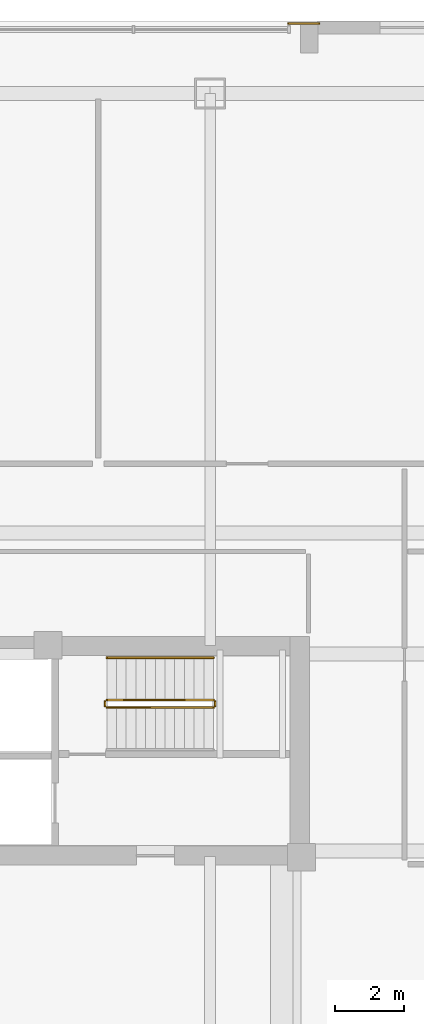
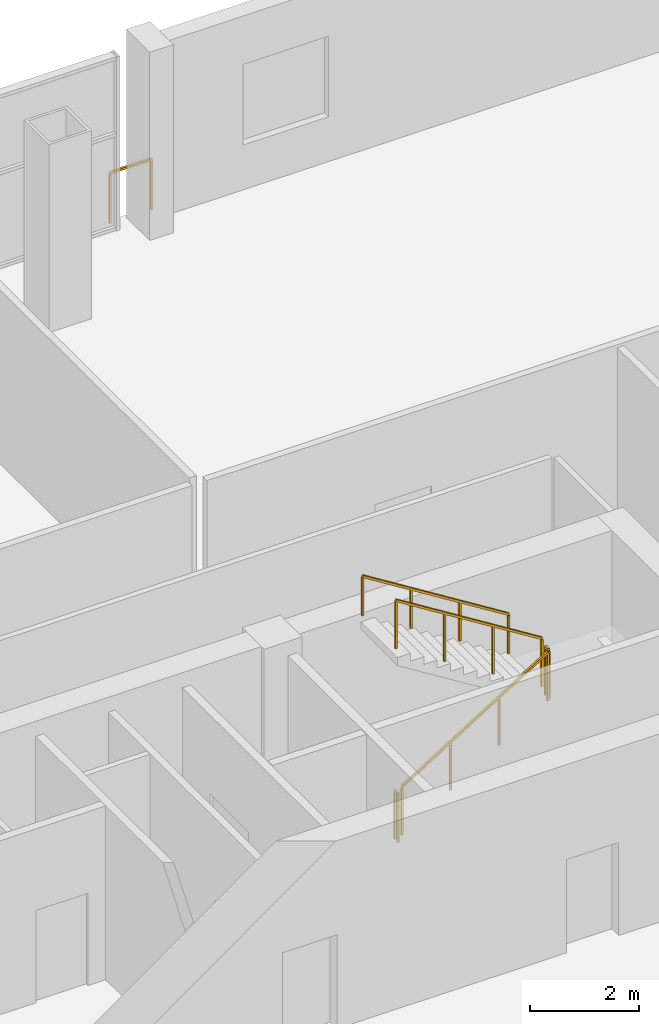
# One storey, part 20 of 21: 6 railings.
"""IFC4 building model written with IfcOpenShell, lengths in metres."""

from ifc_helpers import new_model, si_unit, direction, frame, origin, origin_2d, place, context, subcontext, project, spatial, rectangle, extrude, material, type_object, element, save


model = new_model("IFC4")

# Units and contexts
model_context = context("Model", 3, precision=1e-05, world=origin(), true_north=direction((0.0, 1.0)))
body_context = subcontext(model_context, "Body", "Model", "MODEL_VIEW")
ifc_project = project(units=[si_unit("LENGTHUNIT", "METRE"), si_unit("AREAUNIT", "SQUARE_METRE"), si_unit("VOLUMEUNIT", "CUBIC_METRE"), si_unit("PLANEANGLEUNIT", "RADIAN"), si_unit("MASSUNIT", "GRAM", prefix="KILO")], contexts=[model_context])

# Site, building, storey
site_placement = place(None, origin())
site = spatial("IfcSite", under=ifc_project, at=site_placement, CompositionType="ELEMENT")
building_placement = place(site_placement, origin())
building = spatial("IfcBuilding", under=site, at=building_placement, Name="Qhalaya Broadcast Tower", CompositionType="ELEMENT")
storey_placement = place(building_placement, frame((0.0, 0.0, 9.300048828125)))
storey = spatial("IfcBuildingStorey", under=building, at=storey_placement, Name="L02", CompositionType="ELEMENT", Elevation=9.300048828125)

# Railings
ifc_material = material(Name="Powder-Coated Galvanised Steel", Category="steel")
railing_type_1 = type_object("IfcRailingType", Name="Stair Wall Handrail 900", PredefinedType="HANDRAIL", material=ifc_material)
railing_1_placement = place(storey_placement, frame((6.830078125, 9.590087890625, 2.27490234375)))
element("IfcRailing", 1, at=railing_1_placement, inside=storey, type_object=railing_type_1, Name="L02 ST-1 Stair Handrail 2", PredefinedType="HANDRAIL", context=body_context, shape_type="SweptSolid", body=[
    extrude(rectangle(XDim=0.048095703125, YDim=0.048095703125, at=origin_2d()), frame((0.0, 0.0, 0.8759765625), z_axis=(-0.847998304005, 0.0, 0.529998940003), x_axis=(0.0, -1.0, 0.0)), (0.0, 0.0, 1.0), 3.632080078125),
    extrude(rectangle(XDim=0.0419921875, YDim=0.0419921875, at=origin_2d()), origin(), (0.0, 0.0, 1.0), 0.849853515625),
    extrude(rectangle(XDim=0.0419921875, YDim=0.0419921875, at=origin_2d()), frame((-1.026611328125, 0.0, 0.6416015625)), (0.0, 0.0, 1.0), 0.849853515625),
    extrude(rectangle(XDim=0.0419921875, YDim=0.0419921875, at=origin_2d()), frame((-2.053466796875, 0.0, 1.283447265625)), (0.0, 0.0, 1.0), 0.849853515625),
    extrude(rectangle(XDim=0.0419921875, YDim=0.0419921875, at=origin_2d()), frame((-3.080078125, 0.0, 1.925048828125)), (0.0, 0.0, 1.0), 0.849853515625),
])
railing_type_2 = type_object("IfcRailingType", Name="Stair Well & Landing Guardrail 1100", PredefinedType="GUARDRAIL", material=ifc_material)
railing_2_placement = place(storey_placement, frame((3.75, 8.14990234375, 0.175048828125)))
element("IfcRailing", 2, at=railing_2_placement, inside=storey, type_object=railing_type_2, Name="L02 ST-1 Stair Guard 1", PredefinedType="GUARDRAIL", context=body_context, shape_type="SweptSolid", body=[
    extrude(rectangle(XDim=0.048095703125, YDim=0.048095703125, at=origin_2d()), frame((0.0, 0.0, 1.076171875), z_axis=(0.848028513186, 0.0, 0.529950602248), x_axis=(0.0, 1.0, 0.0)), (0.0, 0.0, 1.0), 3.632080078125),
    extrude(rectangle(XDim=0.0419921875, YDim=0.0419921875, at=origin_2d()), origin(), (0.0, 0.0, 1.0), 1.050048828125),
    extrude(rectangle(XDim=0.0419921875, YDim=0.0419921875, at=origin_2d()), frame((1.026611328125, 0.0, 0.6416015625)), (0.0, 0.0, 1.0), 1.050048828125),
    extrude(rectangle(XDim=0.0419921875, YDim=0.0419921875, at=origin_2d()), frame((2.053466796875, 0.0, 1.283203125)), (0.0, 0.0, 1.0), 1.050048828125),
    extrude(rectangle(XDim=0.0419921875, YDim=0.0419921875, at=origin_2d()), frame((3.080078125, 0.0, 1.9248046875)), (0.0, 0.0, 1.0), 1.050048828125),
])
railing_3_placement = place(storey_placement, frame((6.8798828125, 8.199951171875, 2.099853515625)))
element("IfcRailing", 3, at=railing_3_placement, inside=storey, type_object=railing_type_2, Name="L02 ST-1 Stair Guard 2", PredefinedType="GUARDRAIL", context=body_context, shape_type="SweptSolid", body=[
    extrude(rectangle(XDim=0.048095703125, YDim=0.048095703125, at=origin_2d()), frame((0.0, 0.0, 1.076171875), z_axis=(0.0, 1.0, 0.0), x_axis=(-1.0, 0.0, 0.0)), (0.0, 0.0, 1.0), 0.1201171875),
    extrude(rectangle(XDim=0.0419921875, YDim=0.0419921875, at=origin_2d()), origin(), (0.0, 0.0, 1.0), 1.050048828125),
    extrude(rectangle(XDim=0.0419921875, YDim=0.0419921875, at=origin_2d()), frame((0.0, 0.1201171875, 0.0)), (0.0, 0.0, 1.0), 1.050048828125),
])
railing_4_placement = place(storey_placement, frame((6.830078125, 8.3701171875, 2.27490234375)))
element("IfcRailing", 4, at=railing_4_placement, inside=storey, type_object=railing_type_2, Name="L02 ST-1 Stair Guard 3", PredefinedType="GUARDRAIL", context=body_context, shape_type="SweptSolid", body=[
    extrude(rectangle(XDim=0.048095703125, YDim=0.048095703125, at=origin_2d()), frame((0.0, 0.0, 1.076171875), z_axis=(-0.847998304005, 0.0, 0.529998940003), x_axis=(0.0, -1.0, 0.0)), (0.0, 0.0, 1.0), 3.632080078125),
    extrude(rectangle(XDim=0.0419921875, YDim=0.0419921875, at=origin_2d()), origin(), (0.0, 0.0, 1.0), 1.050048828125),
    extrude(rectangle(XDim=0.0419921875, YDim=0.0419921875, at=origin_2d()), frame((-1.026611328125, 0.0, 0.6416015625)), (0.0, 0.0, 1.0), 1.050048828125),
    extrude(rectangle(XDim=0.0419921875, YDim=0.0419921875, at=origin_2d()), frame((-2.053466796875, 0.0, 1.283447265625)), (0.0, 0.0, 1.0), 1.050048828125),
    extrude(rectangle(XDim=0.0419921875, YDim=0.0419921875, at=origin_2d()), frame((-3.080078125, 0.0, 1.925048828125)), (0.0, 0.0, 1.0), 1.050048828125),
])
railing_5_placement = place(storey_placement, frame((3.699951171875, 8.199951171875, 0.0)))
element("IfcRailing", 5, at=railing_5_placement, inside=storey, type_object=railing_type_2, Name="L02 ST-1 Stair Guard 4", PredefinedType="GUARDRAIL", context=body_context, shape_type="SweptSolid", body=[
    extrude(rectangle(XDim=0.048095703125, YDim=0.048095703125, at=origin_2d()), frame((0.0, 0.0, 1.076171875), z_axis=(0.0, 1.0, 0.0), x_axis=(-1.0, 0.0, 0.0)), (0.0, 0.0, 1.0), 0.1201171875),
    extrude(rectangle(XDim=0.0419921875, YDim=0.0419921875, at=origin_2d()), origin(), (0.0, 0.0, 1.0), 1.050048828125),
    extrude(rectangle(XDim=0.0419921875, YDim=0.0419921875, at=origin_2d()), frame((0.0, 0.1201171875, 0.0)), (0.0, 0.0, 1.0), 1.050048828125),
])
railing_type_3 = type_object("IfcRailingType", Name="Terrace, Sky-Pool & Lookout Glass Balustrade 1150", PredefinedType="BALUSTRADE", material=ifc_material)
railing_6_placement = place(storey_placement, frame((9.0, 27.919921875, 0.0)))
element("IfcRailing", 6, at=railing_6_placement, inside=storey, type_object=railing_type_3, Name="L02 Concourse Portal Shoulder Safety Balustrade PNE", PredefinedType="BALUSTRADE", context=body_context, shape_type="SweptSolid", body=[
    extrude(rectangle(XDim=0.048095703125, YDim=0.048095703125, at=origin_2d()), frame((0.0, 0.0, 1.1259765625), z_axis=(1.0, 0.0, 0.0), x_axis=(0.0, 1.0, 0.0)), (0.0, 0.0, 1.0), 0.8798828125),
    extrude(rectangle(XDim=0.0419921875, YDim=0.0419921875, at=origin_2d()), origin(), (0.0, 0.0, 1.0), 1.099853515625),
    extrude(rectangle(XDim=0.0419921875, YDim=0.0419921875, at=origin_2d()), frame((0.8798828125, 0.0, 0.0)), (0.0, 0.0, 1.0), 1.099853515625),
])

save(model, "model.ifc")
